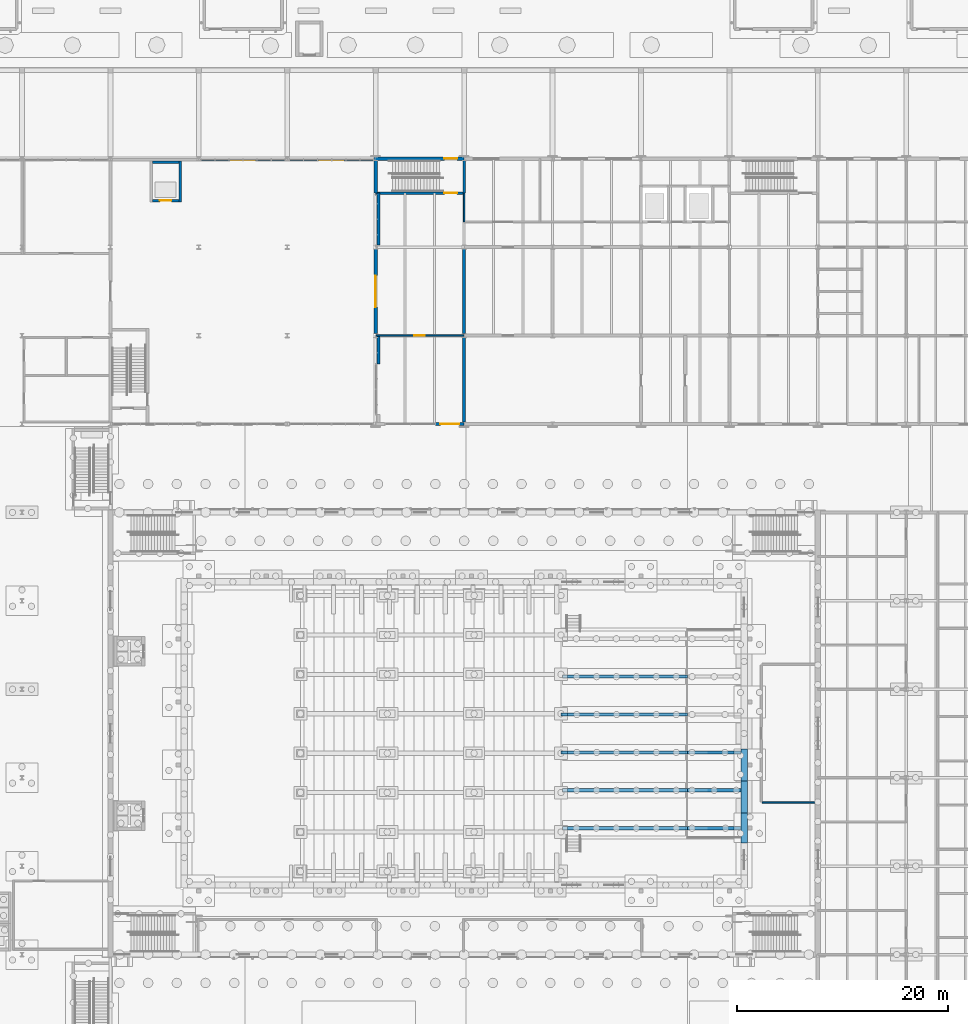
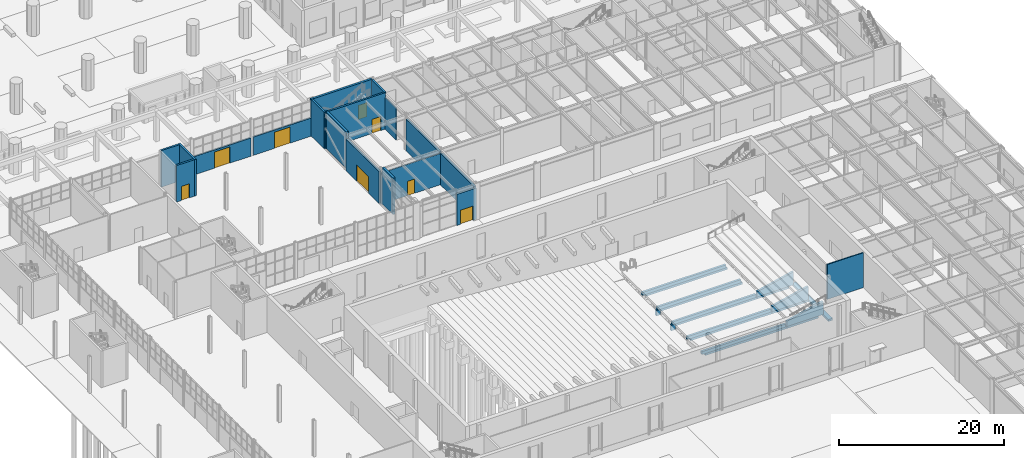
# One storey, part 67 of 127: 39 walls, 8 doors, 8 openings.
"""IFC4 building model written with IfcOpenShell, lengths in metres."""

import ifcopenshell
import ifcopenshell.guid

model = None  # the IFC model being written
_history = None  # IfcOwnerHistory: only IFC2X3 demands one
_inside = {}  # id of a spatial element -> (the spatial element, [elements in it])
_under = {}  # id of a project, library or spatial element -> (it, [spatial elements below it])
_declared = {}  # id of a project -> (the project, [libraries it declares])
_typed = {}  # id of a type object -> (the type object, [elements of that type])
_made_of = {}  # id of a material, layer set ... -> (it, [elements and type objects made of it])


def new_model(schema):
    """Start an empty IFC model of exactly this schema.

    Asked for "IFC4X3", IfcOpenShell would pick the latest addendum, in which some entities
    have other attributes; the version numbers below select the first issue.
    IFC2X3 requires an IfcOwnerHistory on every rooted entity: one is made here for all.
    """
    global model, _history
    if schema == "IFC4X3":
        model = ifcopenshell.file(schema_version=(4, 3, 0, 0))
    else:
        model = ifcopenshell.file(schema=schema)
    _inside.clear()
    _under.clear()
    _declared.clear()
    _typed.clear()
    _made_of.clear()
    _history = None
    if model.schema == "IFC2X3":
        org = make("IfcOrganization", Name="unknown")
        user = make(
            "IfcPersonAndOrganization",
            ThePerson=make("IfcPerson", FamilyName="unknown"),
            TheOrganization=org,
        )
        app = make(
            "IfcApplication",
            ApplicationDeveloper=org,
            Version="unknown",
            ApplicationFullName="unknown",
            ApplicationIdentifier="unknown",
        )
        _history = make(
            "IfcOwnerHistory",
            OwningUser=user,
            OwningApplication=app,
            ChangeAction="ADDED",
            CreationDate=0,
        )
    return model


def make(cls, **values):
    """One entity of the class cls with the attributes given. An attribute that is None is left unset."""
    return model.create_entity(
        cls, **{name: value for name, value in values.items() if value is not None}
    )


def rooted(cls, **values):
    """An entity with a GlobalId (a new one), such as an element, a storey or a relation."""
    return make(cls, GlobalId=ifcopenshell.guid.new(), OwnerHistory=_history, **values)


def si_unit(unit_type, name, prefix=None):
    """IfcSIUnit, for example si_unit("LENGTHUNIT", "METRE", prefix="MILLI")."""
    return make("IfcSIUnit", UnitType=unit_type, Prefix=prefix, Name=name)


def assignment(units):
    """IfcUnitAssignment: the units of a project."""
    return None if units is None else make("IfcUnitAssignment", Units=units)


def point(xyz):
    """IfcCartesianPoint."""
    return None if xyz is None else make("IfcCartesianPoint", Coordinates=xyz)


def direction(xyz):
    """IfcDirection."""
    return None if xyz is None else make("IfcDirection", DirectionRatios=xyz)


def frame(location, z_axis=None, x_axis=None):
    """IfcAxis2Placement3D, a coordinate frame: its origin and axes. An axis left out is left unset."""
    return make(
        "IfcAxis2Placement3D",
        Location=point(location),
        Axis=direction(z_axis),
        RefDirection=direction(x_axis),
    )


def frame_2d(location, x_axis=None):
    """IfcAxis2Placement2D, a coordinate frame in the plane: its origin and x axis."""
    return make(
        "IfcAxis2Placement2D", Location=point(location), RefDirection=direction(x_axis)
    )


def origin():
    """The frame at (0, 0, 0) with its axes left unset."""
    return frame((0.0, 0.0, 0.0))


def place(relative_to, where):
    """IfcLocalPlacement: puts the frame where relative to a parent placement (None: the world)."""
    return make(
        "IfcLocalPlacement", PlacementRelTo=relative_to, RelativePlacement=where
    )


def context(
    kind, dimensions, precision=None, world=None, true_north=None, identifier=None
):
    """IfcGeometricRepresentationContext, for example the 3D "Model" context."""
    return make(
        "IfcGeometricRepresentationContext",
        ContextIdentifier=identifier,
        ContextType=kind,
        CoordinateSpaceDimension=dimensions,
        Precision=precision,
        WorldCoordinateSystem=world,
        TrueNorth=true_north,
    )


def subcontext(parent, identifier, kind, view, scale=None):
    """IfcGeometricRepresentationSubContext, for example "Body" below "Model"."""
    return make(
        "IfcGeometricRepresentationSubContext",
        ContextIdentifier=identifier,
        ContextType=kind,
        ParentContext=parent,
        TargetScale=scale,
        TargetView=view,
    )


def project(units=None, contexts=None):
    """IfcProject with its units and contexts."""
    return rooted(
        "IfcProject",
        Name="project",
        RepresentationContexts=contexts,
        UnitsInContext=assignment(units),
    )


def spatial(cls, under=None, at=None, **own):
    """A site, building, storey or space (cls), placed at a placement, below another one or the project."""
    s = rooted(cls, ObjectPlacement=at, **own)
    if under is not None:
        _under.setdefault(under.id(), (under, []))[1].append(s)
    return s


def polyline(points):
    """IfcPolyline through the points."""
    return make("IfcPolyline", Points=[point(p) for p in points])


def profile(cls, at=None, kind="AREA", **sizes):
    """A parametric profile (cls). Its sizes go by their IFC names, for example OverallWidth=200.0."""
    return make(cls, ProfileType=kind, Position=at, **sizes)


def rectangle(**sizes):
    """IfcRectangleProfileDef."""
    return profile("IfcRectangleProfileDef", **sizes)


def outline(outer, holes=None, kind="AREA"):
    """IfcArbitraryClosedProfileDef: a profile drawn as a closed curve; with holes, ...WithVoids."""
    if holes is None:
        return make("IfcArbitraryClosedProfileDef", ProfileType=kind, OuterCurve=outer)
    return make(
        "IfcArbitraryProfileDefWithVoids",
        ProfileType=kind,
        OuterCurve=outer,
        InnerCurves=holes,
    )


def extrude(swept, where, along, depth):
    """IfcExtrudedAreaSolid: the profile swept, set in the frame where, extruded along a direction by depth."""
    return make(
        "IfcExtrudedAreaSolid",
        SweptArea=swept,
        Position=where,
        ExtrudedDirection=direction(along),
        Depth=depth,
    )


def shape(context_of_items, identifier, shape_type, items):
    """IfcShapeRepresentation: the items that make up one representation, for example the "Body"."""
    return make(
        "IfcShapeRepresentation",
        ContextOfItems=context_of_items,
        RepresentationIdentifier=identifier,
        RepresentationType=shape_type,
        Items=items,
    )


def material(Name=None, Category=None):
    """IfcMaterial."""
    return make("IfcMaterial", Name=Name, Category=Category)


def layer(
    of_material, thickness, ventilated=None, Name=None, Category=None, Priority=None
):
    """IfcMaterialLayer: one layer of a wall or slab, of a material (None: an air gap)."""
    return make(
        "IfcMaterialLayer",
        Material=of_material,
        LayerThickness=thickness,
        IsVentilated=ventilated,
        Name=Name,
        Category=Category,
        Priority=Priority,
    )


def layer_set(layers, Name=None):
    """IfcMaterialLayerSet."""
    return make("IfcMaterialLayerSet", MaterialLayers=layers, LayerSetName=Name)


def made_of(thing, what):
    """Note that an element or type object is made of a material, layer set ...; save() writes the relation."""
    if what is not None:
        _made_of.setdefault(what.id(), (what, []))[1].append(thing)
    return thing


def type_object(cls, material=None, **own):
    """A type object (cls), such as IfcWallType, which elements share."""
    return made_of(rooted(cls, **own), material)


def element(
    cls,
    number,
    at=None,
    inside=None,
    cuts=None,
    type_object=None,
    material=None,
    context=None,
    identifier="Body",
    shape_type=None,
    held_by="IfcProductDefinitionShape",
    body=None,
    shapes=None,
    **own,
):
    """One element of the class cls, such as IfcWall. Its Tag is "e" and its number.

    at: its placement. inside: the storey or other place that contains it. cuts: it is an
    opening in that element (IfcRelVoidsElement). A single representation is given by context,
    identifier, shape_type and body (its items); several are given by shapes. held_by: the class
    of the entity that holds the representations. save() writes the other relations.
    """
    e = rooted(cls, Tag="e%d" % number, ObjectPlacement=at, **own)
    if body is not None:
        shapes = [shape(context, identifier, shape_type, body)]
    if shapes is not None:
        e.Representation = make(held_by, Representations=shapes)
    if inside is not None:
        _inside.setdefault(inside.id(), (inside, []))[1].append(e)
    if cuts is not None:
        rooted(
            "IfcRelVoidsElement", RelatingBuildingElement=cuts, RelatedOpeningElement=e
        )
    if type_object is not None:
        _typed.setdefault(type_object.id(), (type_object, []))[1].append(e)
    return made_of(e, material)


def fill(opening, filler):
    """IfcRelFillsElement: the door or window that sits in an opening."""
    return rooted(
        "IfcRelFillsElement",
        RelatingOpeningElement=opening,
        RelatedBuildingElement=filler,
    )


def aggregate(whole, parts):
    """IfcRelAggregates: a whole, such as a stair, and the parts it consists of."""
    return rooted("IfcRelAggregates", RelatingObject=whole, RelatedObjects=parts)


def save(model, path):
    """Write the relations noted so far, then the file.

    IfcRelAggregates (storeys below a building ...), IfcRelContainedInSpatialStructure (elements
    in a storey), IfcRelDefinesByType, IfcRelAssociatesMaterial and IfcRelDeclares: one each for
    every whole, place, type object, material and project.
    """
    for whole, parts in _under.values():
        aggregate(whole, parts)
    for where, things in _inside.values():
        rooted(
            "IfcRelContainedInSpatialStructure",
            RelatedElements=things,
            RelatingStructure=where,
        )
    for kind, things in _typed.values():
        rooted("IfcRelDefinesByType", RelatedObjects=things, RelatingType=kind)
    for what, things in _made_of.values():
        rooted("IfcRelAssociatesMaterial", RelatedObjects=things, RelatingMaterial=what)
    for by, libraries in _declared.values():
        rooted("IfcRelDeclares", RelatingContext=by, RelatedDefinitions=libraries)
    model.write(path)


model = new_model("IFC4")

# Units and contexts
model_context = context("Model", 3, precision=1e-05, world=origin(), true_north=direction((0.0, 1.0)))
body_context = subcontext(model_context, "Body", "Model", "MODEL_VIEW")
ifc_project = project(units=[si_unit("LENGTHUNIT", "METRE"), si_unit("AREAUNIT", "SQUARE_METRE"), si_unit("VOLUMEUNIT", "CUBIC_METRE"), si_unit("PLANEANGLEUNIT", "RADIAN"), si_unit("MASSUNIT", "GRAM", prefix="KILO")], contexts=[model_context])

# Site, building, storey
site_placement = place(None, origin())
site = spatial("IfcSite", under=ifc_project, at=site_placement, CompositionType="ELEMENT")
building_placement = place(site_placement, origin())
building = spatial("IfcBuilding", under=site, at=building_placement, Name="Ljudholm Concert House", CompositionType="ELEMENT")
storey_placement = place(building_placement, origin())
storey = spatial("IfcBuildingStorey", under=building, at=storey_placement, Name="L00", CompositionType="ELEMENT", Elevation=0.0)

# Walls
ifc_material_1 = material(Name="Double gypsum board on staggered studs")
ifc_layer_1 = layer(ifc_material_1, 0.300048828125)
ifc_layer_set_1 = layer_set([ifc_layer_1], Name="Double gypsum board on staggered studs")
wall_type_1 = type_object("IfcWallType", Name="ACOUSTIC PARTITION 300", PredefinedType="PARTITIONING", material=ifc_layer_set_1)
wall_1_placement = place(storey_placement, frame((62.800048828125, 113.38671875, 0.0), z_axis=(0.0, 0.0, 1.0), x_axis=(0.0, 1.0, 0.0)))
element("IfcWall", 1, at=wall_1_placement, inside=storey, type_object=wall_type_1, Name="Acoustic partition", PredefinedType="PARTITIONING", context=body_context, shape_type="SweptSolid", body=[
    extrude(rectangle(XDim=8.026611328125, YDim=0.300048828125, at=frame_2d((4.01318359375, 0.0))), origin(), (0.0, 0.0, 1.0), 4.6865234375),
])
wall_2_placement = place(storey_placement, frame((62.800048828125, 104.986572265625, 0.0), z_axis=(0.0, 0.0, 1.0), x_axis=(0.0, 1.0, 0.0)))
element("IfcWall", 2, at=wall_2_placement, inside=storey, type_object=wall_type_1, Name="Acoustic partition", PredefinedType="PARTITIONING", context=body_context, shape_type="SweptSolid", body=[
    extrude(rectangle(XDim=8.02685546875, YDim=0.300048828125, at=frame_2d((4.013427734375, 0.0))), origin(), (0.0, 0.0, 1.0), 4.6865234375),
])
ifc_material_2 = material(Name="Gypsum board on steel studs", Category="steel")
ifc_layer_2 = layer(ifc_material_2, 0.14990234375)
ifc_layer_set_2 = layer_set([ifc_layer_2], Name="Gypsum board on steel studs")
wall_type_2 = type_object("IfcWallType", Name="GYPSUM PARTITION 150", PredefinedType="PARTITIONING", material=ifc_layer_set_2)
wall_3_placement = place(storey_placement, frame((91.10009765625, 68.824951171875, 0.0), z_axis=(0.0, 0.0, 1.0), x_axis=(1.0, 0.0, 0.0)))
element("IfcWall", 3, at=wall_3_placement, inside=storey, type_object=wall_type_2, Name="Stage Store partition", PredefinedType="PARTITIONING", context=body_context, shape_type="SweptSolid", body=[
    extrude(rectangle(XDim=5.0498046875, YDim=0.14990234375, at=frame_2d((2.52490234375, 0.0))), origin(), (0.0, 0.0, 1.0), 5.14990234375),
])
wall_4_placement = place(storey_placement, frame((62.800048828125, 124.0, 0.0), z_axis=(0.0, 0.0, 1.0), x_axis=(0.0, 1.0, 0.0)))
element("IfcWall", 4, at=wall_4_placement, inside=storey, type_object=wall_type_2, Name="Partition", PredefinedType="PARTITIONING", context=body_context, shape_type="SweptSolid", body=[
    extrude(rectangle(XDim=2.72509765625, YDim=0.14990234375, at=frame_2d((1.362548828125, 0.0))), origin(), (0.0, 0.0, 1.0), 4.6865234375),
])

# Wall, opening, door
wall_5_placement = place(storey_placement, frame((54.408203125, 113.199951171875, 0.0), z_axis=(0.0, 0.0, 1.0), x_axis=(1.0, 0.0, 0.0)))
wall_5 = element("IfcWall", 5, at=wall_5_placement, inside=storey, type_object=wall_type_2, Name="Partition", PredefinedType="PARTITIONING", context=body_context, shape_type="SweptSolid", body=[
    extrude(rectangle(XDim=8.39990234375, YDim=0.14990234375, at=frame_2d((4.199951171875, 0.0))), origin(), (0.0, 0.0, 1.0), 4.60791015625),
])
opening_1_placement = place(wall_5_placement, frame((3.641845703125, 0.0, 0.0)))
opening_1 = element("IfcOpeningElement", 6, at=opening_1_placement, cuts=wall_5, Name="Opening D-R00-016", PredefinedType="OPENING", context=body_context, shape_type="SweptSolid", body=[
    extrude(rectangle(XDim=1.0, YDim=2.10009765625, at=frame_2d((0.5, 1.050048828125))), frame((0.0, 0.0849609375, 0.0), z_axis=(0.0, -1.0, 0.0), x_axis=(1.0, 0.0, 0.0)), (0.0, 0.0, 1.0), 0.169921875),
])
ifc_material_3 = material(Name="Hollow metal door in steel frame", Category="steel")
door_type_1 = type_object("IfcDoorType", Name="SWING DOOR 1000x2100", OperationType="SINGLE_SWING_LEFT", PredefinedType="DOOR", material=ifc_material_3)
door_1_placement = place(opening_1_placement, origin())
door_1 = element("IfcDoor", 7, at=door_1_placement, inside=storey, type_object=door_type_1, Name="Door", OperationType="SINGLE_SWING_RIGHT", OverallHeight=2.10009765625, OverallWidth=1.0, PredefinedType="DOOR", context=body_context, shape_type="SweptSolid", body=[
    extrude(rectangle(XDim=1.0, YDim=2.10009765625, at=frame_2d((0.5, 1.050048828125))), frame((0.0, 0.02490234375, 0.0), z_axis=(0.0, -1.0, 0.0), x_axis=(1.0, 0.0, 0.0)), (0.0, 0.0, 1.0), 0.050048828125),
])
fill(opening_1, door_1)

# Wall
ifc_material_4 = material(Name="Concrete masonry unit f'm 13.8 MPa", Category="masonry")
ifc_layer_3 = layer(ifc_material_4, 0.300048828125)
ifc_layer_set_3 = layer_set([ifc_layer_3], Name="Concrete masonry unit f'm 13.8 MPa")
wall_type_3 = type_object("IfcWallType", Name="MASONRY WALL 300", PredefinedType="SOLIDWALL", material=ifc_layer_set_3)
wall_6_placement = place(storey_placement, frame((54.6796875, 110.5, 0.0), z_axis=(0.0, 0.0, 1.0), x_axis=(0.0, 1.0, 0.0)))
element("IfcWall", 8, at=wall_6_placement, inside=storey, type_object=wall_type_3, Name="Separation wall (braced bay)", PredefinedType="SOLIDWALL", context=body_context, shape_type="SweptSolid", body=[
    extrude(rectangle(XDim=2.625, YDim=0.300048828125, at=frame_2d((1.3125, 0.0))), origin(), (0.0, 0.0, 1.0), 5.39990234375),
])

# Wall, opening, door
wall_7_placement = place(storey_placement, frame((54.39990234375, 113.38671875, 0.0), z_axis=(0.0, 0.0, 1.0), x_axis=(0.0, 1.0, 0.0)))
wall_7 = element("IfcWall", 9, at=wall_7_placement, inside=storey, type_object=wall_type_3, Name="Separation wall", PredefinedType="SOLIDWALL", context=body_context, shape_type="SweptSolid", body=[
    extrude(rectangle(XDim=8.026611328125, YDim=0.300048828125, at=frame_2d((4.01318359375, 0.0))), origin(), (0.0, 0.0, 1.0), 4.6865234375),
])
opening_2_placement = place(wall_7_placement, frame((2.513427734375, 0.0, 0.0)))
opening_2 = element("IfcOpeningElement", 10, at=opening_2_placement, cuts=wall_7, Name="Opening D-R00-036", PredefinedType="OPENING", context=body_context, shape_type="SweptSolid", body=[
    extrude(rectangle(XDim=3.0, YDim=2.39990234375, at=frame_2d((1.5, 1.199951171875))), frame((0.0, 0.159912109375, 0.0), z_axis=(0.0, -1.0, 0.0), x_axis=(1.0, 0.0, 0.0)), (0.0, 0.0, 1.0), 0.320068359375),
])
ifc_material_5 = material(Name="Hollow metal door in steel frame", Category="steel")
door_type_2 = type_object("IfcDoorType", Name="DOUBLE DOOR 3000x2400", OperationType="DOUBLE_DOOR_SINGLE_SWING", PredefinedType="DOOR", material=ifc_material_5)
door_2_placement = place(opening_2_placement, origin())
door_2 = element("IfcDoor", 11, at=door_2_placement, inside=storey, type_object=door_type_2, Name="Door to the winter garden", OperationType="DOUBLE_DOOR_SINGLE_SWING", OverallHeight=2.39990234375, OverallWidth=3.0, PredefinedType="DOOR", context=body_context, shape_type="SweptSolid", body=[
    extrude(rectangle(XDim=3.0, YDim=2.39990234375, at=frame_2d((1.5, 1.199951171875))), frame((0.0, 0.02490234375, 0.0), z_axis=(0.0, -1.0, 0.0), x_axis=(1.0, 0.0, 0.0)), (0.0, 0.0, 1.0), 0.050048828125),
])
fill(opening_2, door_2)

# Wall
wall_8_placement = place(storey_placement, frame((54.6796875, 121.78662109375, 0.0), z_axis=(0.0, 0.0, 1.0), x_axis=(0.0, 1.0, 0.0)))
element("IfcWall", 12, at=wall_8_placement, inside=storey, type_object=wall_type_3, Name="Separation wall (braced bay)", PredefinedType="SOLIDWALL", context=body_context, shape_type="SweptSolid", body=[
    extrude(rectangle(XDim=4.9384765625, YDim=0.300048828125, at=frame_2d((2.46923828125, 0.0))), origin(), (0.0, 0.0, 1.0), 5.39990234375),
])

# Wall, opening, door
ifc_material_6 = material(Name="Precast concrete 5,000 psi", Category="concrete")
ifc_layer_4 = layer(ifc_material_6, 0.300048828125)
ifc_layer_set_4 = layer_set([ifc_layer_4], Name="Precast concrete 5,000 psi")
wall_type_4 = type_object("IfcWallType", Name="PRECAST PANEL WALL 300", PredefinedType="SOLIDWALL", material=ifc_layer_set_4)
wall_9_placement = place(storey_placement, frame((60.10009765625, 104.800048828125, 0.0), z_axis=(0.0, 0.0, 1.0), x_axis=(1.0, 0.0, 0.0)))
wall_9 = element("IfcWall", 13, at=wall_9_placement, inside=storey, type_object=wall_type_4, Name="Facade wall", PredefinedType="SOLIDWALL", context=body_context, shape_type="SweptSolid", body=[
    extrude(rectangle(XDim=2.7080078125, YDim=0.300048828125, at=frame_2d((1.35400390625, 0.0))), origin(), (0.0, 0.0, 1.0), 4.60791015625),
])
opening_3_placement = place(wall_9_placement, frame((0.449951171875, 0.0, 0.0)))
opening_3 = element("IfcOpeningElement", 14, at=opening_3_placement, cuts=wall_9, Name="Opening D-R00-007", PredefinedType="OPENING", context=body_context, shape_type="SweptSolid", body=[
    extrude(rectangle(XDim=1.800048828125, YDim=2.10009765625, at=frame_2d((0.89990234375, 1.050048828125))), frame((0.0, 0.159912109375, 0.0), z_axis=(0.0, -1.0, 0.0), x_axis=(1.0, 0.0, 0.0)), (0.0, 0.0, 1.0), 0.320068359375),
])
ifc_material_7 = material(Name="Hollow metal door in steel frame", Category="steel")
door_type_3 = type_object("IfcDoorType", Name="DOUBLE DOOR 1800x2100 EXTERNAL", OperationType="DOUBLE_DOOR_SINGLE_SWING", PredefinedType="DOOR", material=ifc_material_7)
door_3_placement = place(opening_3_placement, frame((1.800048828125, 0.0, 0.0), z_axis=(0.0, 0.0, 1.0), x_axis=(-1.0, 0.0, 0.0)))
door_3 = element("IfcDoor", 15, at=door_3_placement, inside=storey, type_object=door_type_3, Name="Entrance door", OperationType="DOUBLE_DOOR_SINGLE_SWING", OverallHeight=2.10009765625, OverallWidth=1.800048828125, PredefinedType="DOOR", context=body_context, shape_type="SweptSolid", body=[
    extrude(rectangle(XDim=1.800048828125, YDim=2.10009765625, at=frame_2d((0.89990234375, 1.050048828125))), frame((0.0, 0.02490234375, 0.0), z_axis=(0.0, -1.0, 0.0), x_axis=(1.0, 0.0, 0.0)), (0.0, 0.0, 1.0), 0.050048828125),
])
fill(opening_3, door_3)

# Wall
ifc_material_8 = material(Name="Concrete 6,500 psi", Category="concrete")
ifc_layer_5 = layer(ifc_material_8, 0.25)
ifc_layer_set_5 = layer_set([ifc_layer_5], Name="Concrete 6,500 psi")
wall_type_5 = type_object("IfcWallType", Name="RC CORE WALL 250", PredefinedType="SHEAR", material=ifc_layer_set_5)
wall_10_placement = place(storey_placement, frame((62.800048828125, 126.72509765625, 0.0), z_axis=(0.0, 0.0, 1.0), x_axis=(0.0, 1.0, 0.0)))
element("IfcWall", 16, at=wall_10_placement, inside=storey, type_object=wall_type_5, Name="Stair core wall", PredefinedType="SHEAR", context=body_context, shape_type="SweptSolid", body=[
    extrude(rectangle(XDim=3.088134765625, YDim=0.25, at=frame_2d((1.5439453125, 0.0))), origin(), (0.0, 0.0, 1.0), 5.39990234375),
])

# Wall, opening, door
wall_11_placement = place(storey_placement, frame((54.39990234375, 126.72509765625, 0.0), z_axis=(0.0, 0.0, 1.0), x_axis=(1.0, 0.0, 0.0)))
wall_11 = element("IfcWall", 17, at=wall_11_placement, inside=storey, type_object=wall_type_5, Name="Stair core wall", PredefinedType="SHEAR", context=body_context, shape_type="SweptSolid", body=[
    extrude(rectangle(XDim=8.400146484375, YDim=0.25, at=frame_2d((4.2001953125, 0.0))), origin(), (0.0, 0.0, 1.0), 5.39990234375),
])
opening_4_placement = place(wall_11_placement, frame((6.52490234375, 0.0, 0.0)))
opening_4 = element("IfcOpeningElement", 18, at=opening_4_placement, cuts=wall_11, Name="Opening D-R00-011", PredefinedType="OPENING", context=body_context, shape_type="SweptSolid", body=[
    extrude(rectangle(XDim=1.199951171875, YDim=2.10009765625, at=frame_2d((0.60009765625, 1.050048828125))), frame((0.0, 0.135009765625, 0.0), z_axis=(0.0, -1.0, 0.0), x_axis=(1.0, 0.0, 0.0)), (0.0, 0.0, 1.0), 0.27001953125),
])
ifc_material_9 = material(Name="Hollow metal door in steel frame", Category="steel")
door_type_4 = type_object("IfcDoorType", Name="SWING DOOR 1200x2100", OperationType="SINGLE_SWING_LEFT", PredefinedType="DOOR", material=ifc_material_9)
door_4_placement = place(opening_4_placement, frame((1.199951171875, 0.0, 0.0), z_axis=(0.0, 0.0, 1.0), x_axis=(-1.0, 0.0, 0.0)))
door_4 = element("IfcDoor", 19, at=door_4_placement, inside=storey, type_object=door_type_4, Name="Door", OperationType="SINGLE_SWING_LEFT", OverallHeight=2.10009765625, OverallWidth=1.199951171875, PredefinedType="DOOR", context=body_context, shape_type="SweptSolid", body=[
    extrude(rectangle(XDim=1.199951171875, YDim=2.10009765625, at=frame_2d((0.60009765625, 1.050048828125))), frame((0.0, 0.02490234375, 0.0), z_axis=(0.0, -1.0, 0.0), x_axis=(1.0, 0.0, 0.0)), (0.0, 0.0, 1.0), 0.050048828125),
])
fill(opening_4, door_4)

ifc_material_10 = material(Name="Concrete 6,500 psi", Category="concrete")
ifc_layer_6 = layer(ifc_material_10, 0.300048828125)
ifc_layer_set_6 = layer_set([ifc_layer_6], Name="Concrete 6,500 psi")
wall_type_6 = type_object("IfcWallType", Name="RC CORE WALL 300", PredefinedType="SHEAR", material=ifc_layer_set_6)
wall_12_placement = place(storey_placement, frame((54.25, 130.0, 0.0), z_axis=(0.0, 0.0, 1.0), x_axis=(1.0, 0.0, 0.0)))
wall_12 = element("IfcWall", 20, at=wall_12_placement, inside=storey, type_object=wall_type_6, Name="Stair core wall", PredefinedType="SHEAR", context=body_context, shape_type="SweptSolid", body=[
    extrude(rectangle(XDim=8.55810546875, YDim=0.300048828125, at=frame_2d((4.279052734375, 0.0))), origin(), (0.0, 0.0, 1.0), 5.39990234375),
])
opening_5_placement = place(wall_12_placement, frame((6.675048828125, 0.0, 0.0)))
opening_5 = element("IfcOpeningElement", 21, at=opening_5_placement, cuts=wall_12, Name="Opening D-R00-003", PredefinedType="OPENING", context=body_context, shape_type="SweptSolid", body=[
    extrude(rectangle(XDim=1.199951171875, YDim=2.10009765625, at=frame_2d((0.60009765625, 1.050048828125))), frame((0.0, 0.159912109375, 0.0), z_axis=(0.0, -1.0, 0.0), x_axis=(1.0, 0.0, 0.0)), (0.0, 0.0, 1.0), 0.320068359375),
])
ifc_material_11 = material(Name="Hollow metal door in steel frame", Category="steel")
door_type_5 = type_object("IfcDoorType", Name="SWING DOOR 1200x2100 EXTERNAL", OperationType="SINGLE_SWING_LEFT", PredefinedType="DOOR", material=ifc_material_11)
door_5_placement = place(opening_5_placement, origin())
door_5 = element("IfcDoor", 22, at=door_5_placement, inside=storey, type_object=door_type_5, Name="Stair exit door", OperationType="SINGLE_SWING_LEFT", OverallHeight=2.10009765625, OverallWidth=1.199951171875, PredefinedType="DOOR", context=body_context, shape_type="SweptSolid", body=[
    extrude(rectangle(XDim=1.199951171875, YDim=2.10009765625, at=frame_2d((0.60009765625, 1.050048828125))), frame((0.0, 0.02490234375, 0.0), z_axis=(0.0, -1.0, 0.0), x_axis=(1.0, 0.0, 0.0)), (0.0, 0.0, 1.0), 0.050048828125),
])
fill(opening_5, door_5)

# Walls
ifc_material_12 = material(Name="Concrete 6,500 psi", Category="concrete")
ifc_layer_7 = layer(ifc_material_12, 0.300048828125)
ifc_layer_set_7 = layer_set([ifc_layer_7], Name="Concrete 6,500 psi")
wall_type_7 = type_object("IfcWallType", Name="RC CORE WALL 300 INTERNAL", PredefinedType="SHEAR", material=ifc_layer_set_7)
wall_13_placement = place(storey_placement, frame((54.39990234375, 126.72509765625, 0.0), z_axis=(0.0, 0.0, 1.0), x_axis=(0.0, 1.0, 0.0)))
element("IfcWall", 23, at=wall_13_placement, inside=storey, type_object=wall_type_7, Name="Stair core wall", PredefinedType="SHEAR", context=body_context, shape_type="SweptSolid", body=[
    extrude(rectangle(XDim=3.088134765625, YDim=0.300048828125, at=frame_2d((1.5439453125, 0.0))), origin(), (0.0, 0.0, 1.0), 5.39990234375),
])
ifc_material_13 = material(Name="Concrete 6,500 psi", Category="concrete")
ifc_layer_8 = layer(ifc_material_13, 0.25)
ifc_layer_set_8 = layer_set([ifc_layer_8], Name="Concrete 6,500 psi")
wall_type_8 = type_object("IfcWallType", Name="RC WALL 250", PredefinedType="SOLIDWALL", material=ifc_layer_set_8)
wall_14_placement = place(storey_placement, frame((35.824951171875, 125.89990234375, 0.0), z_axis=(0.0, 0.0, 1.0), x_axis=(0.0, 1.0, 0.0)))
element("IfcWall", 24, at=wall_14_placement, inside=storey, type_object=wall_type_8, Name="Lift shaft wall", PredefinedType="SOLIDWALL", context=body_context, shape_type="SweptSolid", body=[
    extrude(rectangle(XDim=3.900146484375, YDim=0.25, at=frame_2d((1.9501953125, 0.0))), origin(), (0.0, 0.0, 1.0), 5.39990234375),
])

# Wall, opening, door
wall_15_placement = place(storey_placement, frame((33.199951171875, 126.02490234375, 0.0), z_axis=(0.0, 0.0, 1.0), x_axis=(1.0, 0.0, 0.0)))
wall_15 = element("IfcWall", 25, at=wall_15_placement, inside=storey, type_object=wall_type_8, Name="Lift shaft wall", PredefinedType="SOLIDWALL", context=body_context, shape_type="SweptSolid", body=[
    extrude(rectangle(XDim=2.5, YDim=0.25, at=frame_2d((1.25, 0.0))), origin(), (0.0, 0.0, 1.0), 5.39990234375),
])
opening_6_placement = place(wall_15_placement, frame((0.699951171875, 0.0, 0.0)))
opening_6 = element("IfcOpeningElement", 26, at=opening_6_placement, cuts=wall_15, Name="Opening LD-G00-008", PredefinedType="OPENING", context=body_context, shape_type="SweptSolid", body=[
    extrude(rectangle(XDim=1.10009765625, YDim=2.10009765625, at=frame_2d((0.550048828125, 1.050048828125))), frame((0.0, 0.135009765625, 0.0), z_axis=(0.0, -1.0, 0.0), x_axis=(1.0, 0.0, 0.0)), (0.0, 0.0, 1.0), 0.27001953125),
])
ifc_material_14 = material(Name="Stainless steel sliding landing door, fire-rated", Category="steel")
door_type_6 = type_object("IfcDoorType", Name="LIFT DOOR 1100x2100", OperationType="SLIDING_TO_LEFT", PredefinedType="DOOR", material=ifc_material_14)
door_6_placement = place(opening_6_placement, origin())
door_6 = element("IfcDoor", 27, at=door_6_placement, inside=storey, type_object=door_type_6, Name="Lift landing door", OperationType="SLIDING_TO_LEFT", OverallHeight=2.10009765625, OverallWidth=1.10009765625, PredefinedType="DOOR", context=body_context, shape_type="SweptSolid", body=[
    extrude(rectangle(XDim=1.10009765625, YDim=2.10009765625, at=frame_2d((0.550048828125, 1.050048828125))), frame((0.0, 0.02490234375, 0.0), z_axis=(0.0, -1.0, 0.0), x_axis=(1.0, 0.0, 0.0)), (0.0, 0.0, 1.0), 0.050048828125),
])
fill(opening_6, door_6)

# Walls
wall_16_placement = place(storey_placement, frame((33.199951171875, 129.675048828125, 0.0), z_axis=(0.0, 0.0, 1.0), x_axis=(1.0, 0.0, 0.0)))
element("IfcWall", 28, at=wall_16_placement, inside=storey, type_object=wall_type_8, Name="Lift shaft wall", PredefinedType="SOLIDWALL", context=body_context, shape_type="SweptSolid", body=[
    extrude(rectangle(XDim=2.5, YDim=0.25, at=frame_2d((1.25, 0.0))), origin(), (0.0, 0.0, 1.0), 5.39990234375),
])
ifc_material_15 = material(Name="Concrete 6,500 psi", Category="concrete")
ifc_layer_9 = layer(ifc_material_15, 0.300048828125)
ifc_layer_set_9 = layer_set([ifc_layer_9], Name="Concrete 6,500 psi")
wall_type_9 = type_object("IfcWallType", Name="RC WALL 300", PredefinedType="SOLIDWALL", material=ifc_layer_set_9)
for number, where, z_axis, x_axis, name in (
    (29, (72.14990234375, 66.39990234375, 0.0), (0.0, 0.0, 1.0), (1.0, 0.0, 0.0), "Platform support wall"),
    (30, (72.14990234375, 70.0, 0.0), (0.0, 0.0, 1.0), (1.0, 0.0, 0.0), "Platform support wall"),
    (31, (72.14990234375, 73.60009765625, 0.0), (0.0, 0.0, 1.0), (1.0, 0.0, 0.0), "Platform support wall"),
    (32, (72.14990234375, 77.199951171875, 0.0), (0.0, 0.0, 1.0), (1.0, 0.0, 0.0), "Platform support wall"),
    (33, (72.14990234375, 80.800048828125, 0.0), (0.0, 0.0, 1.0), (1.0, 0.0, 0.0), "Platform support wall"),
):
    element("IfcWall", number, at=place(storey_placement, frame(where, z_axis=z_axis, x_axis=x_axis)), inside=storey, type_object=wall_type_9, Name=name, PredefinedType="SOLIDWALL", context=body_context, shape_type="SweptSolid", body=[
        extrude(rectangle(XDim=11.7001953125, YDim=0.300048828125, at=frame_2d((5.85009765625, 0.0))), origin(), (0.0, 0.0, 1.0), 0.449951171875),
    ])
for number, where, z_axis, x_axis, name in (
    (34, (84.0, 66.39990234375, 0.0), (0.0, 0.0, 1.0), (1.0, 0.0, 0.0), "Choir seating support wall"),
    (35, (84.0, 70.0, 0.0), (0.0, 0.0, 1.0), (1.0, 0.0, 0.0), "Choir seating support wall"),
    (36, (84.0, 73.60009765625, 0.0), (0.0, 0.0, 1.0), (1.0, 0.0, 0.0), "Choir seating support wall"),
):
    element("IfcWall", number, at=place(storey_placement, frame(where, z_axis=z_axis, x_axis=x_axis)), inside=storey, type_object=wall_type_9, Name=name, PredefinedType="SOLIDWALL", context=body_context, shape_type="SweptSolid", body=[
        extrude(outline(polyline([(0.0, 0.0), (5.10009765625, 0.0), (5.10009765625, 1.949951171875), (0.0, 0.75), (0.0, 0.0)])), frame((0.0, 0.14990234375, 0.0), z_axis=(0.0, -1.0, 0.0), x_axis=(1.0, 0.0, 0.0)), (0.0, 0.0, 1.0), 0.300048828125),
    ])
for number, where, z_axis, x_axis, name in (
    (37, (72.6201171875, 66.39990234375, -0.300048828125), (0.0, 0.0, 1.0), (1.0, 0.0, 0.0), "Wall stem"),
    (38, (72.6201171875, 70.0, -0.300048828125), (0.0, 0.0, 1.0), (1.0, 0.0, 0.0), "Wall stem"),
):
    element("IfcWall", number, at=place(storey_placement, frame(where, z_axis=z_axis, x_axis=x_axis)), inside=storey, type_object=wall_type_9, Name=name, PredefinedType="SOLIDWALL", context=body_context, shape_type="SweptSolid", body=[
        extrude(rectangle(XDim=11.39990234375, YDim=0.300048828125, at=frame_2d((5.699951171875, 0.0))), origin(), (0.0, 0.0, 1.0), 0.300048828125),
    ])
wall_17_placement = place(storey_placement, frame((72.0, 73.60009765625, -0.804931640625), z_axis=(0.0, 0.0, 1.0), x_axis=(1.0, 0.0, 0.0)))
element("IfcWall", 39, at=wall_17_placement, inside=storey, type_object=wall_type_9, Name="Wall stem", PredefinedType="SOLIDWALL", context=body_context, shape_type="SweptSolid", body=[
    extrude(rectangle(XDim=0.6201171875, YDim=0.300048828125, at=frame_2d((0.31005859375, 0.0))), origin(), (0.0, 0.0, 1.0), 0.804931640625),
])
wall_18_placement = place(storey_placement, frame((72.6201171875, 73.60009765625, -0.300048828125), z_axis=(0.0, 0.0, 1.0), x_axis=(1.0, 0.0, 0.0)))
element("IfcWall", 40, at=wall_18_placement, inside=storey, type_object=wall_type_9, Name="Wall stem", PredefinedType="SOLIDWALL", context=body_context, shape_type="SweptSolid", body=[
    extrude(rectangle(XDim=11.39990234375, YDim=0.300048828125, at=frame_2d((5.699951171875, 0.0))), origin(), (0.0, 0.0, 1.0), 0.300048828125),
])
wall_19_placement = place(storey_placement, frame((72.0, 77.199951171875, -0.804931640625), z_axis=(0.0, 0.0, 1.0), x_axis=(1.0, 0.0, 0.0)))
element("IfcWall", 41, at=wall_19_placement, inside=storey, type_object=wall_type_9, Name="Wall stem", PredefinedType="SOLIDWALL", context=body_context, shape_type="SweptSolid", body=[
    extrude(rectangle(XDim=0.6201171875, YDim=0.300048828125, at=frame_2d((0.31005859375, 0.0))), origin(), (0.0, 0.0, 1.0), 0.804931640625),
])
for number, where, z_axis, x_axis, name in (
    (42, (72.6201171875, 77.199951171875, -0.300048828125), (0.0, 0.0, 1.0), (1.0, 0.0, 0.0), "Wall stem"),
    (43, (72.6201171875, 80.800048828125, -0.300048828125), (0.0, 0.0, 1.0), (1.0, 0.0, 0.0), "Wall stem"),
):
    element("IfcWall", number, at=place(storey_placement, frame(where, z_axis=z_axis, x_axis=x_axis)), inside=storey, type_object=wall_type_9, Name=name, PredefinedType="SOLIDWALL", context=body_context, shape_type="SweptSolid", body=[
        extrude(rectangle(XDim=11.39990234375, YDim=0.300048828125, at=frame_2d((5.699951171875, 0.0))), origin(), (0.0, 0.0, 1.0), 0.300048828125),
    ])
wall_20_placement = place(storey_placement, frame((84.02001953125, 66.39990234375, -0.300048828125), z_axis=(0.0, 0.0, 1.0), x_axis=(1.0, 0.0, 0.0)))
element("IfcWall", 44, at=wall_20_placement, inside=storey, type_object=wall_type_9, Name="Wall stem", PredefinedType="SOLIDWALL", context=body_context, shape_type="SweptSolid", body=[
    extrude(rectangle(XDim=4.409912109375, YDim=0.300048828125, at=frame_2d((2.205078125, 0.0))), origin(), (0.0, 0.0, 1.0), 0.300048828125),
])
wall_21_placement = place(storey_placement, frame((84.02001953125, 70.0, -0.300048828125), z_axis=(0.0, 0.0, 1.0), x_axis=(1.0, 0.0, 0.0)))
element("IfcWall", 45, at=wall_21_placement, inside=storey, type_object=wall_type_9, Name="Wall stem", PredefinedType="SOLIDWALL", context=body_context, shape_type="SweptSolid", body=[
    extrude(rectangle(XDim=5.080078125, YDim=0.300048828125, at=frame_2d((2.5400390625, 0.0))), origin(), (0.0, 0.0, 1.0), 0.300048828125),
])
wall_22_placement = place(storey_placement, frame((84.02001953125, 73.60009765625, -0.300048828125), z_axis=(0.0, 0.0, 1.0), x_axis=(1.0, 0.0, 0.0)))
element("IfcWall", 46, at=wall_22_placement, inside=storey, type_object=wall_type_9, Name="Wall stem", PredefinedType="SOLIDWALL", context=body_context, shape_type="SweptSolid", body=[
    extrude(rectangle(XDim=4.409912109375, YDim=0.300048828125, at=frame_2d((2.205078125, 0.0))), origin(), (0.0, 0.0, 1.0), 0.300048828125),
])
ifc_material_16 = material(Name="Concrete 6,500 psi", Category="concrete")
ifc_layer_10 = layer(ifc_material_16, 0.60009765625)
ifc_layer_set_10 = layer_set([ifc_layer_10], Name="Concrete 6,500 psi")
wall_type_10 = type_object("IfcWallType", Name="RC WALL 600", PredefinedType="SOLIDWALL", material=ifc_layer_set_10)
wall_23_placement = place(storey_placement, frame((89.39990234375, 65.010009765625, -0.300048828125), z_axis=(0.0, 0.0, 1.0), x_axis=(0.0, 1.0, 0.0)))
element("IfcWall", 47, at=wall_23_placement, inside=storey, type_object=wall_type_10, Name="Wall stem", PredefinedType="SOLIDWALL", context=body_context, shape_type="SweptSolid", body=[
    extrude(rectangle(XDim=2.840087890625, YDim=0.60009765625, at=frame_2d((1.419921875, 0.0))), origin(), (0.0, 0.0, 1.0), 0.300048828125),
])
wall_24_placement = place(storey_placement, frame((89.39990234375, 70.889892578125, -0.300048828125), z_axis=(0.0, 0.0, 1.0), x_axis=(0.0, 1.0, 0.0)))
element("IfcWall", 48, at=wall_24_placement, inside=storey, type_object=wall_type_10, Name="Wall stem", PredefinedType="SOLIDWALL", context=body_context, shape_type="SweptSolid", body=[
    extrude(rectangle(XDim=3.0400390625, YDim=0.60009765625, at=frame_2d((1.52001953125, 0.0))), origin(), (0.0, 0.0, 1.0), 0.300048828125),
])
wall_25_placement = place(storey_placement, frame((89.39990234375, 67.85009765625, -0.300048828125), z_axis=(0.0, 0.0, 1.0), x_axis=(0.0, 1.0, 0.0)))
element("IfcWall", 49, at=wall_25_placement, inside=storey, type_object=wall_type_10, Name="Wall stem", PredefinedType="SOLIDWALL", context=body_context, shape_type="SweptSolid", body=[
    extrude(rectangle(XDim=3.039794921875, YDim=0.60009765625, at=frame_2d((1.52001953125, 0.0))), origin(), (0.0, 0.0, 1.0), 0.300048828125),
])

# Wall, opening, door
ifc_material_17 = material(Name="Aluminium cladding with timber-grain PVDF finish", Category="aluminium")
ifc_layer_11 = layer(ifc_material_17, 0.199951171875)
ifc_layer_set_11 = layer_set([ifc_layer_11], Name="Aluminium cladding with timber-grain PVDF finish")
wall_type_11 = type_object("IfcWallType", Name="TIMBER-GRAIN ALUMINIUM CLAD WALL 200", PredefinedType="SOLIDWALL", material=ifc_layer_set_11)
wall_26_placement = place(storey_placement, frame((37.7900390625, 129.89990234375, 0.0), z_axis=(0.0, 0.0, 1.0), x_axis=(1.0, 0.0, 0.0)))
wall_26 = element("IfcWall", 50, at=wall_26_placement, inside=storey, type_object=wall_type_11, Name="North entrance wall", PredefinedType="SOLIDWALL", context=body_context, shape_type="SweptSolid", body=[
    extrude(rectangle(XDim=8.02001953125, YDim=0.199951171875, at=frame_2d((4.010009765625, 0.0))), origin(), (0.0, 0.0, 1.0), 2.699951171875),
])
opening_7_placement = place(wall_26_placement, frame((2.909912109375, 0.0, 0.0)))
opening_7 = element("IfcOpeningElement", 51, at=opening_7_placement, cuts=wall_26, Name="Opening D-G00-001", PredefinedType="OPENING", context=body_context, shape_type="SweptSolid", body=[
    extrude(rectangle(XDim=2.199951171875, YDim=2.39990234375, at=frame_2d((1.10009765625, 1.199951171875))), frame((0.0, 0.10986328125, 0.0), z_axis=(0.0, -1.0, 0.0), x_axis=(1.0, 0.0, 0.0)), (0.0, 0.0, 1.0), 0.219970703125),
])
ifc_material_18 = material(Name="Aluminium frame with impact-rated laminated glass", Category="aluminium")
door_type_7 = type_object("IfcDoorType", Name="GLAZED ENTRANCE DOOR PAIR 2200x2400", OperationType="DOUBLE_DOOR_SINGLE_SWING", PredefinedType="DOOR", material=ifc_material_18)
door_7_placement = place(opening_7_placement, origin())
door_7 = element("IfcDoor", 52, at=door_7_placement, inside=storey, type_object=door_type_7, Name="North entrance door pair", OperationType="DOUBLE_DOOR_SINGLE_SWING", OverallHeight=2.39990234375, OverallWidth=2.199951171875, PredefinedType="DOOR", context=body_context, shape_type="SweptSolid", body=[
    extrude(rectangle(XDim=2.199951171875, YDim=2.39990234375, at=frame_2d((1.10009765625, 1.199951171875))), frame((0.0, 0.02490234375, 0.0), z_axis=(0.0, -1.0, 0.0), x_axis=(1.0, 0.0, 0.0)), (0.0, 0.0, 1.0), 0.050048828125),
])
fill(opening_7, door_7)

wall_27_placement = place(storey_placement, frame((46.18994140625, 129.89990234375, 0.0), z_axis=(0.0, 0.0, 1.0), x_axis=(1.0, 0.0, 0.0)))
wall_27 = element("IfcWall", 53, at=wall_27_placement, inside=storey, type_object=wall_type_11, Name="North entrance wall", PredefinedType="SOLIDWALL", context=body_context, shape_type="SweptSolid", body=[
    extrude(rectangle(XDim=8.06005859375, YDim=0.199951171875, at=frame_2d((4.030029296875, 0.0))), origin(), (0.0, 0.0, 1.0), 2.699951171875),
])
opening_8_placement = place(wall_27_placement, frame((2.909912109375, 0.0, 0.0)))
opening_8 = element("IfcOpeningElement", 54, at=opening_8_placement, cuts=wall_27, Name="Opening D-G00-002", PredefinedType="OPENING", context=body_context, shape_type="SweptSolid", body=[
    extrude(rectangle(XDim=2.199951171875, YDim=2.39990234375, at=frame_2d((1.10009765625, 1.199951171875))), frame((0.0, 0.10986328125, 0.0), z_axis=(0.0, -1.0, 0.0), x_axis=(1.0, 0.0, 0.0)), (0.0, 0.0, 1.0), 0.219970703125),
])
door_8_placement = place(opening_8_placement, origin())
door_8 = element("IfcDoor", 55, at=door_8_placement, inside=storey, type_object=door_type_7, Name="North entrance door pair", OperationType="DOUBLE_DOOR_SINGLE_SWING", OverallHeight=2.39990234375, OverallWidth=2.199951171875, PredefinedType="DOOR", context=body_context, shape_type="SweptSolid", body=[
    extrude(rectangle(XDim=2.199951171875, YDim=2.39990234375, at=frame_2d((1.10009765625, 1.199951171875))), frame((0.0, 0.02490234375, 0.0), z_axis=(0.0, -1.0, 0.0), x_axis=(1.0, 0.0, 0.0)), (0.0, 0.0, 1.0), 0.050048828125),
])
fill(opening_8, door_8)

save(model, "model.ifc")
